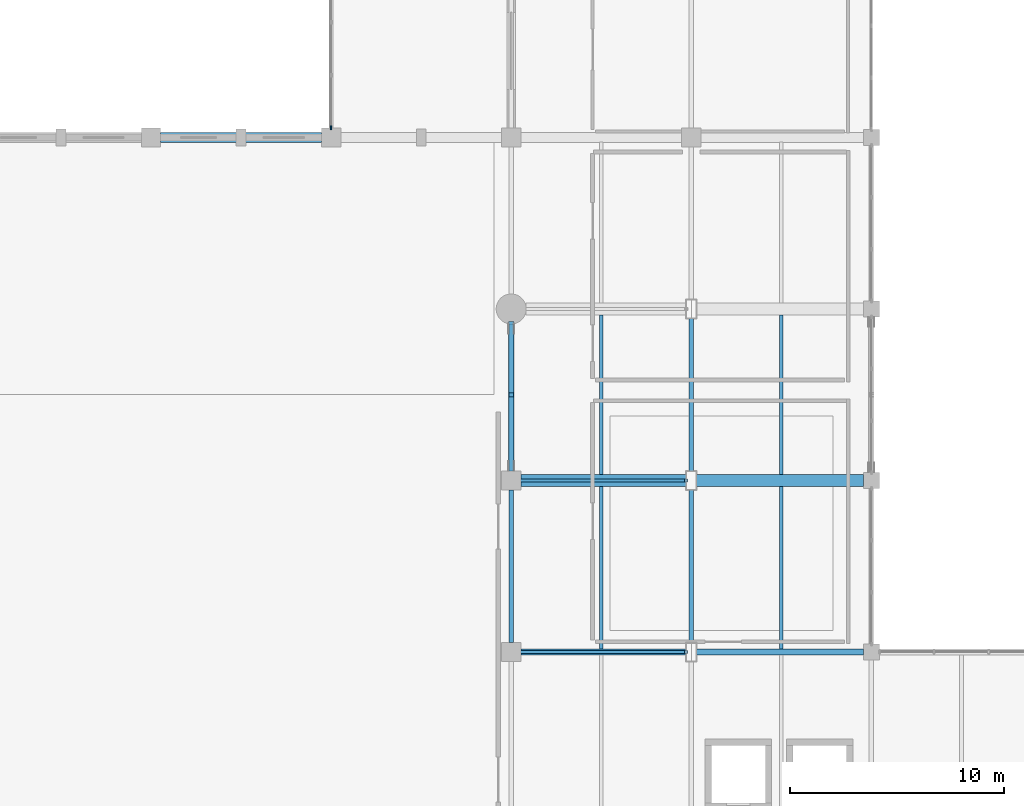
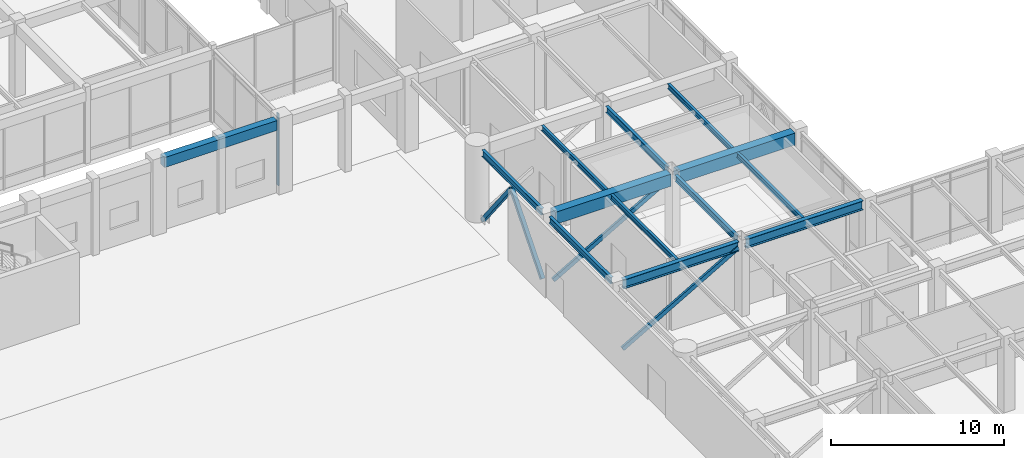
# One storey, part 22 of 79: 13 beams, 5 members, 1 element without a shape of its own.
"""IFC4 building model written with IfcOpenShell, lengths in metres."""

from ifc_helpers import new_model, si_unit, direction, frame, origin, origin_2d, place, context, subcontext, project, spatial, rectangle, hollow_rectangle, i_section, extrude, material, layer, layer_set, material_profile, profile_set, type_object, element, aggregate, save


model = new_model("IFC4")

# Units and contexts
model_context = context("Model", 3, precision=1e-05, world=origin(), true_north=direction((0.0, 1.0)))
body_context = subcontext(model_context, "Body", "Model", "MODEL_VIEW")
ifc_project = project(units=[si_unit("LENGTHUNIT", "METRE"), si_unit("AREAUNIT", "SQUARE_METRE"), si_unit("VOLUMEUNIT", "CUBIC_METRE"), si_unit("PLANEANGLEUNIT", "RADIAN"), si_unit("MASSUNIT", "GRAM", prefix="KILO")], contexts=[model_context])

# Site, building, storey
site_placement = place(None, origin())
site = spatial("IfcSite", under=ifc_project, at=site_placement, CompositionType="ELEMENT")
building_placement = place(site_placement, origin())
building = spatial("IfcBuilding", under=site, at=building_placement, Name="Naruveol Harbour Congress Hotel", CompositionType="ELEMENT")
storey_placement = place(building_placement, frame((0.0, 0.0, 6.0)))
storey = spatial("IfcBuildingStorey", under=building, at=storey_placement, Name="L01", CompositionType="ELEMENT", Elevation=6.0)

# Beams
ifc_material_1 = material(Name="Concrete C40/50", Category="concrete")
ifc_material_profile_1 = material_profile(ifc_material_1, rectangle(XDim=0.550048828125, YDim=0.85009765625, at=origin_2d()), Name="RCB-550x850")
ifc_profile_set_1 = profile_set([ifc_material_profile_1], Name="Concrete C40/50")
beam_type_1 = type_object("IfcBeamType", Name="RC PRIMARY GIRDER 550X850", PredefinedType="BEAM", material=ifc_profile_set_1)
beam_1_placement = place(storey_placement, frame((50.845947265625, 40.0, 4.695068359375), z_axis=(1.0, 0.0, 0.0), x_axis=(0.0, 1.0, 0.0)))
element("IfcBeam", 1, at=beam_1_placement, inside=storey, type_object=beam_type_1, Name="Floor girder L02 CB2", PredefinedType="BEAM", context=body_context, shape_type="SweptSolid", body=[
    extrude(rectangle(XDim=0.550048828125, YDim=0.85009765625, at=origin_2d()), origin(), (0.0, 0.0, 1.0), 7.7080078125),
])
beam_2_placement = place(storey_placement, frame((59.0458984375, 40.0, 4.695068359375), z_axis=(1.0, 0.0, 0.0), x_axis=(0.0, 1.0, 0.0)))
element("IfcBeam", 2, at=beam_2_placement, inside=storey, type_object=beam_type_1, Name="Floor girder L02 CB2", PredefinedType="BEAM", context=body_context, shape_type="SweptSolid", body=[
    extrude(rectangle(XDim=0.550048828125, YDim=0.85009765625, at=origin_2d()), origin(), (0.0, 0.0, 1.0), 7.783203125),
])
ifc_material_2 = material(Name="Concrete C40/50", Category="concrete")
ifc_material_profile_2 = material_profile(ifc_material_2, rectangle(XDim=0.449951171875, YDim=0.699951171875, at=origin_2d()), Name="RCB-450x700")
ifc_profile_set_2 = profile_set([ifc_material_profile_2], Name="Concrete C40/50")
beam_type_2 = type_object("IfcBeamType", Name="RC SPANDREL BEAM 450X700", PredefinedType="SPANDREL", material=ifc_profile_set_2)
beam_3_placement = place(storey_placement, frame((34.0458984375, 56.0, 4.77001953125), z_axis=(1.0, 0.0, 0.0), x_axis=(0.0, 1.0, 0.0)))
element("IfcBeam", 3, at=beam_3_placement, inside=storey, type_object=beam_type_2, Name="Floor girder L02 SPB1", PredefinedType="SPANDREL", context=body_context, shape_type="SweptSolid", body=[
    extrude(rectangle(XDim=0.449951171875, YDim=0.699951171875, at=origin_2d()), origin(), (0.0, 0.0, 1.0), 7.508056640625),
])
ifc_material_3 = material(Name="Steel SN490", Category="steel")
ifc_material_profile_3 = material_profile(ifc_material_3, i_section(OverallWidth=0.300048828125, OverallDepth=0.64990234375, WebThickness=0.012939453125, FlangeThickness=0.02392578125, at=origin_2d()), Name="H-650x300x13x24")
ifc_profile_set_3 = profile_set([ifc_material_profile_3], Name="Steel SN490")
beam_type_3 = type_object("IfcBeamType", Name="STEEL ATRIUM TIE GIRDER H650", PredefinedType="BEAM", material=ifc_profile_set_3)
beam_4_placement = place(storey_placement, frame((50.845947265625, 32.0, 4.794921875), z_axis=(1.0, 0.0, 0.0), x_axis=(0.0, 1.0, 0.0)))
element("IfcBeam", 4, at=beam_4_placement, inside=storey, type_object=beam_type_3, Name="Floor girder L02 SG2", PredefinedType="BEAM", context=body_context, shape_type="SweptSolid", body=[
    extrude(i_section(OverallWidth=0.300048828125, OverallDepth=0.64990234375, WebThickness=0.012939453125, FlangeThickness=0.02392578125, at=origin_2d()), origin(), (0.0, 0.0, 1.0), 7.7080078125),
])
beam_5_placement = place(storey_placement, frame((59.0458984375, 32.0, 4.794921875), z_axis=(1.0, 0.0, 0.0), x_axis=(0.0, 1.0, 0.0)))
element("IfcBeam", 5, at=beam_5_placement, inside=storey, type_object=beam_type_3, Name="Floor girder L02 SG2", PredefinedType="BEAM", context=body_context, shape_type="SweptSolid", body=[
    extrude(i_section(OverallWidth=0.300048828125, OverallDepth=0.64990234375, WebThickness=0.012939453125, FlangeThickness=0.02392578125, at=origin_2d()), origin(), (0.0, 0.0, 1.0), 7.783203125),
])

# Members
ifc_material_4 = material(Name="Steel SN490", Category="steel")
ifc_material_profile_4 = material_profile(ifc_material_4, hollow_rectangle(XDim=0.14990234375, YDim=0.300048828125, WallThickness=0.010009765625, at=origin_2d()), Name="RHS-300x150x10")
ifc_profile_set_4 = profile_set([ifc_material_profile_4], Name="Steel SN490")
member_type_1 = type_object("IfcMemberType", Name="STEEL FACADE WIND STRUT RHS300", PredefinedType="STRUT", material=ifc_profile_set_4)
for number, where, z_axis, x_axis, name in (
    (6, (50.840087890625, 32.0, 0.199951171875), (0.866373909485, 0.0, 0.499395884007), (0.0, 1.0, 0.0), "Congress foyer wind strut Y=32.0"),
    (7, (50.840087890625, 40.0, 0.199951171875), (0.866373909485, 0.0, 0.499395884007), (0.0, 1.0, 0.0), "Congress foyer wind strut Y=40.0"),
):
    element("IfcMember", number, at=place(storey_placement, frame(where, z_axis=z_axis, x_axis=x_axis)), inside=storey, type_object=member_type_1, Name=name, PredefinedType="STRUT", context=body_context, shape_type="SweptSolid", body=[
        extrude(hollow_rectangle(XDim=0.14990234375, YDim=0.300048828125, WallThickness=0.010009765625, at=origin_2d()), origin(), (0.0, 0.0, 1.0), 8.91064453125),
    ])
ifc_material_5 = material(Name="Steel SN490", Category="steel")
ifc_material_profile_5 = material_profile(ifc_material_5, hollow_rectangle(XDim=0.25, YDim=0.25, WallThickness=0.011962890625, at=origin_2d()), Name="SHS-250x250x12")
ifc_profile_set_5 = profile_set([ifc_material_profile_5], Name="Steel SN490")
member_type_2 = type_object("IfcMemberType", Name="STEEL LATERAL FRAME BRACE SHS250", PredefinedType="BRACE", material=ifc_profile_set_5)
member_1_placement = place(storey_placement, frame((50.39990234375, 40.43994140625, 0.159912109375), z_axis=(0.0, 0.645686146486, 0.76360290743), x_axis=(-1.0, 0.0, 0.0)))
element("IfcMember", 8, at=member_1_placement, inside=storey, type_object=member_type_2, Name="Lateral chevron brace L01 #12A", PredefinedType="BRACE", context=body_context, shape_type="SweptSolid", body=[
    extrude(hollow_rectangle(XDim=0.25, YDim=0.25, WallThickness=0.011962890625, at=origin_2d()), origin(), (0.0, 0.0, 1.0), 5.513671875),
])
member_2_placement = place(storey_placement, frame((50.39990234375, 47.31005859375, 0.159912109375), z_axis=(0.0, -0.618057076641, 0.786133226632), x_axis=(1.0, 0.0, 0.0)))
element("IfcMember", 9, at=member_2_placement, inside=storey, type_object=member_type_2, Name="Lateral chevron brace L01 #12B", PredefinedType="BRACE", context=body_context, shape_type="SweptSolid", body=[
    extrude(hollow_rectangle(XDim=0.25, YDim=0.25, WallThickness=0.011962890625, at=origin_2d()), origin(), (0.0, 0.0, 1.0), 5.35546875),
])

# Beams
ifc_material_6 = material(Name="Steel SN490", Category="steel")
ifc_material_profile_6 = material_profile(ifc_material_6, i_section(OverallWidth=0.175048828125, OverallDepth=0.35009765625, WebThickness=0.007080078125, FlangeThickness=0.010986328125, at=origin_2d()), Name="H-350x175x7x11")
ifc_profile_set_6 = profile_set([ifc_material_profile_6], Name="Steel SN490")
beam_type_4 = type_object("IfcBeamType", Name="STEEL SECONDARY JOIST H350", PredefinedType="JOIST", material=ifc_profile_set_6)
for number, where, z_axis, x_axis, name in (
    (10, (54.60009765625, 32.14599609375, 4.945068359375), (0.0, 1.0, 0.0), (-1.0, 0.0, 0.0), "Secondary floor joist L02 SJ2"),
    (11, (63.0, 32.14599609375, 4.945068359375), (0.0, 1.0, 0.0), (-1.0, 0.0, 0.0), "Secondary floor joist L02 SJ2"),
):
    element("IfcBeam", number, at=place(storey_placement, frame(where, z_axis=z_axis, x_axis=x_axis)), inside=storey, type_object=beam_type_4, Name=name, PredefinedType="JOIST", context=body_context, shape_type="SweptSolid", body=[
        extrude(i_section(OverallWidth=0.175048828125, OverallDepth=0.35009765625, WebThickness=0.007080078125, FlangeThickness=0.010986328125, at=origin_2d()), origin(), (0.0, 0.0, 1.0), 7.5830078125),
    ])
for number, where, z_axis, x_axis, name in (
    (12, (54.60009765625, 40.27099609375, 4.945068359375), (0.0, 1.0, 0.0), (-1.0, 0.0, 0.0), "Secondary floor joist L02 SJ2"),
    (13, (63.0, 40.27099609375, 4.945068359375), (0.0, 1.0, 0.0), (-1.0, 0.0, 0.0), "Secondary floor joist L02 SJ2"),
):
    element("IfcBeam", number, at=place(storey_placement, frame(where, z_axis=z_axis, x_axis=x_axis)), inside=storey, type_object=beam_type_4, Name=name, PredefinedType="JOIST", context=body_context, shape_type="SweptSolid", body=[
        extrude(i_section(OverallWidth=0.175048828125, OverallDepth=0.35009765625, WebThickness=0.007080078125, FlangeThickness=0.010986328125, at=origin_2d()), origin(), (0.0, 0.0, 1.0), 7.4580078125),
    ])
ifc_material_7 = material(Name="Steel SN490", Category="steel")
ifc_material_profile_7 = material_profile(ifc_material_7, i_section(OverallWidth=0.199951171875, OverallDepth=0.449951171875, WebThickness=0.009033203125, FlangeThickness=0.013916015625, at=origin_2d()), Name="H-450x200x9x14")
ifc_profile_set_7 = profile_set([ifc_material_profile_7], Name="Steel SN490")
beam_type_5 = type_object("IfcBeamType", Name="STEEL SPANDREL EDGE BEAM H450", PredefinedType="SPANDREL", material=ifc_profile_set_7)
beam_6_placement = place(storey_placement, frame((50.39990234375, 32.446044921875, 4.89501953125), z_axis=(0.0, 1.0, 0.0), x_axis=(-1.0, 0.0, 0.0)))
element("IfcBeam", 14, at=beam_6_placement, inside=storey, type_object=beam_type_5, Name="Transverse girder L02 SPB2", PredefinedType="SPANDREL", context=body_context, shape_type="SweptSolid", body=[
    extrude(i_section(OverallWidth=0.199951171875, OverallDepth=0.449951171875, WebThickness=0.009033203125, FlangeThickness=0.013916015625, at=origin_2d()), origin(), (0.0, 0.0, 1.0), 7.10791015625),
])
beam_7_placement = place(storey_placement, frame((50.39990234375, 40.446044921875, 4.89501953125), z_axis=(0.0, 1.0, 0.0), x_axis=(-1.0, 0.0, 0.0)))
element("IfcBeam", 15, at=beam_7_placement, inside=storey, type_object=beam_type_5, Name="Transverse girder L02 SPB2", PredefinedType="SPANDREL", context=body_context, shape_type="SweptSolid", body=[
    extrude(i_section(OverallWidth=0.199951171875, OverallDepth=0.449951171875, WebThickness=0.009033203125, FlangeThickness=0.013916015625, at=origin_2d()), origin(), (0.0, 0.0, 1.0), 6.85791015625),
])
for number, where, z_axis, x_axis, name in (
    (16, (58.800048828125, 32.446044921875, 4.89501953125), (0.0, 1.0, 0.0), (-1.0, 0.0, 0.0), "Transverse girder L02 SPB2"),
    (17, (58.800048828125, 40.446044921875, 4.89501953125), (0.0, 1.0, 0.0), (-1.0, 0.0, 0.0), "Transverse girder L02 SPB2"),
):
    element("IfcBeam", number, at=place(storey_placement, frame(where, z_axis=z_axis, x_axis=x_axis)), inside=storey, type_object=beam_type_5, Name=name, PredefinedType="SPANDREL", context=body_context, shape_type="SweptSolid", body=[
        extrude(i_section(OverallWidth=0.199951171875, OverallDepth=0.449951171875, WebThickness=0.009033203125, FlangeThickness=0.013916015625, at=origin_2d()), origin(), (0.0, 0.0, 1.0), 7.10791015625),
    ])

# Curtain wall, member
ifc_material_8 = material(Name="Low-E Curtain Wall System", Category="glass")
ifc_layer = layer(ifc_material_8, 0.179931640625)
ifc_layer_set = layer_set([ifc_layer], Name="Low-E Curtain Wall System")
curtain_wall_type = type_object("IfcCurtainWallType", Name="UNITISED CURTAIN WALL CW-SPLW-11 7375X5100", PredefinedType="USERDEFINED", material=ifc_layer_set)
curtain_wall_placement = place(storey_placement, origin())
curtain_wall = element("IfcCurtainWall", 18, at=curtain_wall_placement, inside=storey, type_object=curtain_wall_type, Name="Unitised curtain wall CW-SPLW-11 L01", ObjectType="UNITISED GLAZING", PredefinedType="USERDEFINED")
ifc_material_9 = material(Name="Anodised Aluminium 6063-T6", Category="aluminium")
ifc_material_profile_8 = material_profile(ifc_material_9, rectangle(XDim=0.074951171875, YDim=0.179931640625, at=origin_2d()), Name="ALU-75x180")
ifc_profile_set_8 = profile_set([ifc_material_profile_8], Name="Anodised Aluminium 6063-T6")
member_type_3 = type_object("IfcMemberType", Name="THERMAL ALUMINIUM MULLION 75X180", PredefinedType="MULLION", material=ifc_profile_set_8)
member_3_placement = place(storey_placement, frame((42.0, 56.449951171875, 0.0), z_axis=(0.0, 0.0, 1.0), x_axis=(1.0, 0.0, 0.0)))
member_3 = element("IfcMember", 19, at=member_3_placement, type_object=member_type_3, Name="Curtain wall mullion CW-L01-0012-M0", PredefinedType="MULLION", context=body_context, shape_type="SweptSolid", body=[
    extrude(rectangle(XDim=0.074951171875, YDim=0.179931640625, at=origin_2d()), origin(), (0.0, 0.0, 1.0), 5.10009765625),
])
aggregate(curtain_wall, [member_3])

save(model, "model.ifc")
